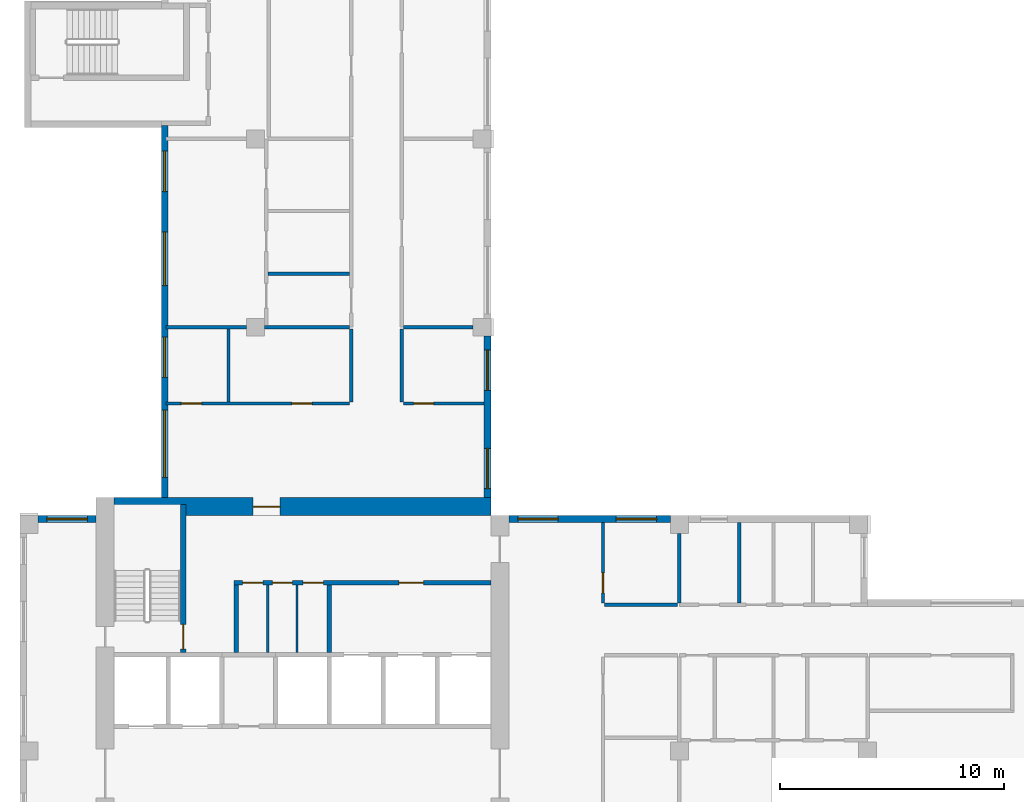
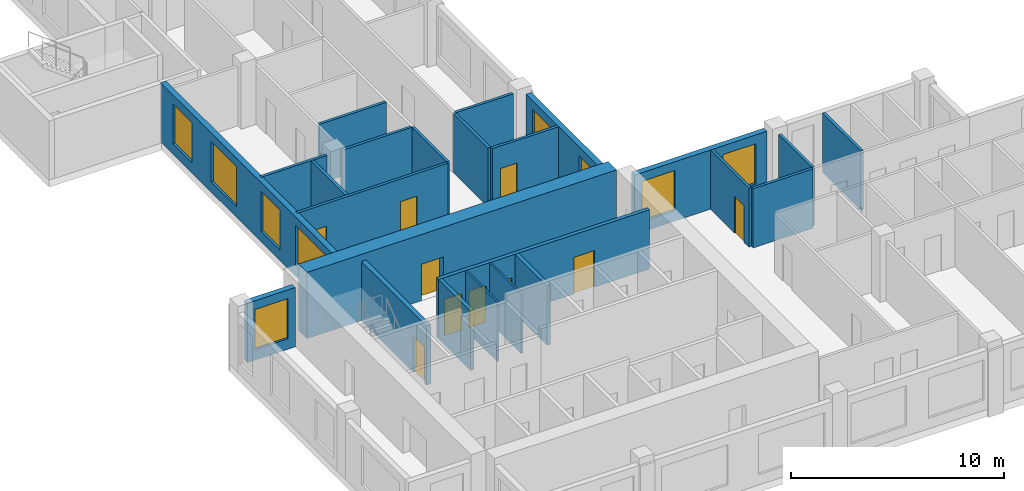
# One storey, part 3 of 11: 24 walls, 10 doors, 9 windows, 19 openings.
"""IFC4 building model written with IfcOpenShell, lengths in metres."""

from ifc_helpers import new_model, si_unit, direction, frame, frame_2d, origin, place, context, subcontext, project, spatial, rectangle, extrude, source, transform, mapped, material, layer, layer_set, type_object, element, fill, save


model = new_model("IFC4")

# Units and contexts
model_context = context("Model", 3, precision=1e-05, world=origin(), true_north=direction((0.0, 1.0)))
body_context = subcontext(model_context, "Body", "Model", "MODEL_VIEW")
ifc_project = project(units=[si_unit("LENGTHUNIT", "METRE"), si_unit("AREAUNIT", "SQUARE_METRE"), si_unit("VOLUMEUNIT", "CUBIC_METRE"), si_unit("PLANEANGLEUNIT", "RADIAN"), si_unit("MASSUNIT", "GRAM", prefix="KILO")], contexts=[model_context])

# Site, building, storey
site_placement = place(None, origin())
site = spatial("IfcSite", under=ifc_project, at=site_placement, CompositionType="ELEMENT")
building_placement = place(site_placement, origin())
building = spatial("IfcBuilding", under=site, at=building_placement, Name="Aurelian Terraces", CompositionType="ELEMENT")
storey_placement = place(building_placement, frame((0.0, 0.0, 265.2)))
storey = spatial("IfcBuildingStorey", under=building, at=storey_placement, Name="L61", CompositionType="ELEMENT", Elevation=265.2)

# Wall, opening, door
ifc_material_1 = material(Name="Concrete fc' 70 MPa", Category="concrete")
ifc_layer_1 = layer(ifc_material_1, 0.8)
ifc_layer_set_1 = layer_set([ifc_layer_1], Name="CORE WALL 800 FC70")
wall_type_1 = type_object("IfcWallType", Name="CORE WALL 800 FC70", PredefinedType="SHEAR", material=ifc_layer_set_1)
shared_shape_1 = source(origin(), body_context, "Body", "SweptSolid", [
    extrude(rectangle(XDim=16.8, YDim=0.8, at=frame_2d((8.4, 0.0))), origin(), (0.0, 0.0, 1.0), 3.8),
])
wall_1_placement = place(storey_placement, frame((4.2, 21.4, 0.0), z_axis=(0.0, 0.0, 1.0), x_axis=(1.0, 0.0, 0.0)))
wall_1 = element("IfcWall", 1, at=wall_1_placement, inside=storey, type_object=wall_type_1, Name="Core wall N L61", PredefinedType="SHEAR", context=body_context, shape_type="MappedRepresentation", body=[
    mapped(shared_shape_1, transform((0.0, 0.0, 0.0), scale=1.0)),
])
shared_shape_2 = source(origin(), body_context, "Body", "SweptSolid", [
    extrude(rectangle(XDim=1.2, YDim=2.1, at=frame_2d((0.6, 1.05))), frame((0.0, 0.41, 0.0), z_axis=(0.0, -1.0, 0.0), x_axis=(1.0, 0.0, 0.0)), (0.0, 0.0, 1.0), 0.82),
])
opening_1_placement = place(wall_1_placement, frame((6.2, 0.0, 0.0)))
opening_1 = element("IfcOpeningElement", 2, at=opening_1_placement, cuts=wall_1, Name="Opening 66425", PredefinedType="OPENING", context=body_context, shape_type="MappedRepresentation", body=[
    mapped(shared_shape_2, transform((0.0, 0.0, 0.0), scale=1.0)),
])
ifc_material_2 = material(Name="Steel door leaf", Category="steel")
door_type_1 = type_object("IfcDoorType", Name="Core fire door 1200x2100", OperationType="SINGLE_SWING_LEFT", PredefinedType="DOOR", material=ifc_material_2)
shared_shape_3 = source(origin(), body_context, "Body", "SweptSolid", [
    extrude(rectangle(XDim=1.2, YDim=2.1, at=frame_2d((0.6, 1.05))), frame((0.0, 0.025, 0.0), z_axis=(0.0, -1.0, 0.0), x_axis=(1.0, 0.0, 0.0)), (0.0, 0.0, 1.0), 0.05),
])
door_1_placement = place(opening_1_placement, origin())
door_1 = element("IfcDoor", 3, at=door_1_placement, inside=storey, type_object=door_type_1, Name="Core door 66425", OperationType="SINGLE_SWING_LEFT", OverallHeight=2.1, OverallWidth=1.2, PredefinedType="DOOR", context=body_context, shape_type="MappedRepresentation", body=[
    mapped(shared_shape_3, transform((0.0, 0.0, 0.0), scale=1.0)),
])
fill(opening_1, door_1)

# Wall, openings, windows
ifc_material_3 = material(Name="Terracotta rainscreen cladding", Category="masonry")
ifc_layer_2 = layer(ifc_material_3, 0.3)
ifc_layer_set_2 = layer_set([ifc_layer_2], Name="EW-300")
wall_type_2 = type_object("IfcWallType", Name="EW-300", PredefinedType="STANDARD", material=ifc_layer_set_2)
shared_shape_4 = source(origin(), body_context, "Body", "SweptSolid", [
    extrude(rectangle(XDim=16.6, YDim=0.3, at=frame_2d((8.3, 0.0))), origin(), (0.0, 0.0, 1.0), 3.4),
])
wall_2_placement = place(storey_placement, frame((6.45, 38.4, 0.0), z_axis=(0.0, 0.0, 1.0), x_axis=(0.0, -1.0, 0.0)))
wall_2 = element("IfcWall", 4, at=wall_2_placement, inside=storey, type_object=wall_type_2, Name="External wall L61 F16.29", PredefinedType="STANDARD", context=body_context, shape_type="MappedRepresentation", body=[
    mapped(shared_shape_4, transform((0.0, 0.0, 0.0), scale=1.0)),
])
shared_shape_5 = source(origin(), body_context, "Body", "SweptSolid", [
    extrude(rectangle(XDim=1.8, YDim=2.3, at=frame_2d((0.9, 1.15))), frame((0.0, 0.16, 0.0), z_axis=(0.0, -1.0, 0.0), x_axis=(1.0, 0.0, 0.0)), (0.0, 0.0, 1.0), 0.32),
])
opening_2_placement = place(wall_2_placement, frame((1.15, 0.0, 0.6)))
opening_2 = element("IfcOpeningElement", 5, at=opening_2_placement, cuts=wall_2, Name="Opening W1823", PredefinedType="OPENING", context=body_context, shape_type="MappedRepresentation", body=[
    mapped(shared_shape_5, transform((0.0, 0.0, 0.0), scale=1.0)),
])
shared_shape_6 = source(origin(), body_context, "Body", "SweptSolid", [
    extrude(rectangle(XDim=2.4, YDim=2.3, at=frame_2d((1.2, 1.15))), frame((0.0, 0.16, 0.0), z_axis=(0.0, -1.0, 0.0), x_axis=(1.0, 0.0, 0.0)), (0.0, 0.0, 1.0), 0.32),
])
opening_3_placement = place(wall_2_placement, frame((4.75, 0.0, 0.6)))
opening_3 = element("IfcOpeningElement", 6, at=opening_3_placement, cuts=wall_2, Name="Opening W2423", PredefinedType="OPENING", context=body_context, shape_type="MappedRepresentation", body=[
    mapped(shared_shape_6, transform((0.0, 0.0, 0.0), scale=1.0)),
])
opening_4_placement = place(wall_2_placement, frame((9.4375, 0.0, 0.6)))
opening_4 = element("IfcOpeningElement", 7, at=opening_4_placement, cuts=wall_2, Name="Opening W1823", PredefinedType="OPENING", context=body_context, shape_type="MappedRepresentation", body=[
    mapped(shared_shape_5, transform((0.0, 0.0, 0.0), scale=1.0)),
])
shared_shape_7 = source(origin(), body_context, "Body", "SweptSolid", [
    extrude(rectangle(XDim=3.0, YDim=2.3, at=frame_2d((1.5, 1.15))), frame((0.0, 0.16, 0.0), z_axis=(0.0, -1.0, 0.0), x_axis=(1.0, 0.0, 0.0)), (0.0, 0.0, 1.0), 0.32),
])
opening_5_placement = place(wall_2_placement, frame((12.7, 0.0, 0.6)))
opening_5 = element("IfcOpeningElement", 8, at=opening_5_placement, cuts=wall_2, Name="Opening W3023", PredefinedType="OPENING", context=body_context, shape_type="MappedRepresentation", body=[
    mapped(shared_shape_7, transform((0.0, 0.0, 0.0), scale=1.0)),
])
ifc_material_4 = material(Name="Clear glazing", Category="glass")
window_type_1 = type_object("IfcWindowType", Name="W-3000x2300", PartitioningType="SINGLE_PANEL", PredefinedType="WINDOW", material=ifc_material_4)
shared_shape_8 = source(origin(), body_context, "Body", "SweptSolid", [
    extrude(rectangle(XDim=3.0, YDim=2.3, at=frame_2d((1.5, 1.15))), frame((0.0, 0.03, 0.0), z_axis=(0.0, -1.0, 0.0), x_axis=(1.0, 0.0, 0.0)), (0.0, 0.0, 1.0), 0.06),
])
window_1_placement = place(opening_5_placement, origin())
window_1 = element("IfcWindow", 9, at=window_1_placement, inside=storey, type_object=window_type_1, Name="Window L61 L61-F16-29-3", OverallHeight=2.3, OverallWidth=3.0, PartitioningType="SINGLE_PANEL", PredefinedType="WINDOW", context=body_context, shape_type="MappedRepresentation", body=[
    mapped(shared_shape_8, transform((0.0, 0.0, 0.0), scale=1.0)),
])
fill(opening_5, window_1)
window_type_2 = type_object("IfcWindowType", Name="W-1800x2300", PartitioningType="SINGLE_PANEL", PredefinedType="WINDOW", material=ifc_material_4)
shared_shape_9 = source(origin(), body_context, "Body", "SweptSolid", [
    extrude(rectangle(XDim=1.8, YDim=2.3, at=frame_2d((0.9, 1.15))), frame((0.0, 0.03, 0.0), z_axis=(0.0, -1.0, 0.0), x_axis=(1.0, 0.0, 0.0)), (0.0, 0.0, 1.0), 0.06),
])
window_2_placement = place(opening_2_placement, origin())
window_2 = element("IfcWindow", 10, at=window_2_placement, inside=storey, type_object=window_type_2, Name="Window L61 L61-F16-29-0", OverallHeight=2.3, OverallWidth=1.8, PartitioningType="SINGLE_PANEL", PredefinedType="WINDOW", context=body_context, shape_type="MappedRepresentation", body=[
    mapped(shared_shape_9, transform((0.0, 0.0, 0.0), scale=1.0)),
])
fill(opening_2, window_2)
window_3_placement = place(opening_4_placement, origin())
window_3 = element("IfcWindow", 11, at=window_3_placement, inside=storey, type_object=window_type_2, Name="Window L61 L61-F16-29-2", OverallHeight=2.3, OverallWidth=1.8, PartitioningType="SINGLE_PANEL", PredefinedType="WINDOW", context=body_context, shape_type="MappedRepresentation", body=[
    mapped(shared_shape_9, transform((0.0, 0.0, 0.0), scale=1.0)),
])
fill(opening_4, window_3)
window_type_3 = type_object("IfcWindowType", Name="W-2400x2300", PartitioningType="SINGLE_PANEL", PredefinedType="WINDOW", material=ifc_material_4)
shared_shape_10 = source(origin(), body_context, "Body", "SweptSolid", [
    extrude(rectangle(XDim=2.4, YDim=2.3, at=frame_2d((1.2, 1.15))), frame((0.0, 0.03, 0.0), z_axis=(0.0, -1.0, 0.0), x_axis=(1.0, 0.0, 0.0)), (0.0, 0.0, 1.0), 0.06),
])
window_4_placement = place(opening_3_placement, origin())
window_4 = element("IfcWindow", 12, at=window_4_placement, inside=storey, type_object=window_type_3, Name="Window L61 L61-F16-29-1", OverallHeight=2.3, OverallWidth=2.4, PartitioningType="SINGLE_PANEL", PredefinedType="WINDOW", context=body_context, shape_type="MappedRepresentation", body=[
    mapped(shared_shape_10, transform((0.0, 0.0, 0.0), scale=1.0)),
])
fill(opening_3, window_4)

shared_shape_11 = source(origin(), body_context, "Body", "SweptSolid", [
    extrude(rectangle(XDim=7.2, YDim=0.3, at=frame_2d((3.6, 0.0))), origin(), (0.0, 0.0, 1.0), 3.4),
])
wall_3_placement = place(storey_placement, frame((29.0, 20.85, 0.0), z_axis=(0.0, 0.0, 1.0), x_axis=(-1.0, 0.0, 0.0)))
wall_3 = element("IfcWall", 13, at=wall_3_placement, inside=storey, type_object=wall_type_2, Name="External wall L61 F07.16", PredefinedType="STANDARD", context=body_context, shape_type="MappedRepresentation", body=[
    mapped(shared_shape_11, transform((0.0, 0.0, 0.0), scale=1.0)),
])
opening_6_placement = place(wall_3_placement, frame((0.6125, 0.0, 0.6)))
opening_6 = element("IfcOpeningElement", 14, at=opening_6_placement, cuts=wall_3, Name="Opening W1823", PredefinedType="OPENING", context=body_context, shape_type="MappedRepresentation", body=[
    mapped(shared_shape_5, transform((0.0, 0.0, 0.0), scale=1.0)),
])
opening_7_placement = place(wall_3_placement, frame((5.0, 0.0, 0.6)))
opening_7 = element("IfcOpeningElement", 15, at=opening_7_placement, cuts=wall_3, Name="Opening W1823", PredefinedType="OPENING", context=body_context, shape_type="MappedRepresentation", body=[
    mapped(shared_shape_5, transform((0.0, 0.0, 0.0), scale=1.0)),
])
window_5_placement = place(opening_6_placement, origin())
window_5 = element("IfcWindow", 16, at=window_5_placement, inside=storey, type_object=window_type_2, Name="Window L61 L61-F07-16-0", OverallHeight=2.3, OverallWidth=1.8, PartitioningType="SINGLE_PANEL", PredefinedType="WINDOW", context=body_context, shape_type="MappedRepresentation", body=[
    mapped(shared_shape_9, transform((0.0, 0.0, 0.0), scale=1.0)),
])
fill(opening_6, window_5)
window_6_placement = place(opening_7_placement, origin())
window_6 = element("IfcWindow", 17, at=window_6_placement, inside=storey, type_object=window_type_2, Name="Window L61 L61-F07-16-1", OverallHeight=2.3, OverallWidth=1.8, PartitioningType="SINGLE_PANEL", PredefinedType="WINDOW", context=body_context, shape_type="MappedRepresentation", body=[
    mapped(shared_shape_9, transform((0.0, 0.0, 0.0), scale=1.0)),
])
fill(opening_7, window_6)

wall_4_placement = place(storey_placement, frame((20.85, 21.8, 0.0), z_axis=(0.0, 0.0, 1.0), x_axis=(0.0, 1.0, 0.0)))
wall_4 = element("IfcWall", 18, at=wall_4_placement, inside=storey, type_object=wall_type_2, Name="External wall L61 F08.17", PredefinedType="STANDARD", context=body_context, shape_type="MappedRepresentation", body=[
    mapped(shared_shape_11, transform((0.0, 0.0, 0.0), scale=1.0)),
])
opening_8_placement = place(wall_4_placement, frame((0.4, 0.0, 0.6)))
opening_8 = element("IfcOpeningElement", 19, at=opening_8_placement, cuts=wall_4, Name="Opening W1823", PredefinedType="OPENING", context=body_context, shape_type="MappedRepresentation", body=[
    mapped(shared_shape_5, transform((0.0, 0.0, 0.0), scale=1.0)),
])
opening_9_placement = place(wall_4_placement, frame((4.7875, 0.0, 0.6)))
opening_9 = element("IfcOpeningElement", 20, at=opening_9_placement, cuts=wall_4, Name="Opening W1823", PredefinedType="OPENING", context=body_context, shape_type="MappedRepresentation", body=[
    mapped(shared_shape_5, transform((0.0, 0.0, 0.0), scale=1.0)),
])
window_7_placement = place(opening_8_placement, origin())
window_7 = element("IfcWindow", 21, at=window_7_placement, inside=storey, type_object=window_type_2, Name="Window L61 L61-F08-17-0", OverallHeight=2.3, OverallWidth=1.8, PartitioningType="SINGLE_PANEL", PredefinedType="WINDOW", context=body_context, shape_type="MappedRepresentation", body=[
    mapped(shared_shape_9, transform((0.0, 0.0, 0.0), scale=1.0)),
])
fill(opening_8, window_7)
window_8_placement = place(opening_9_placement, origin())
window_8 = element("IfcWindow", 22, at=window_8_placement, inside=storey, type_object=window_type_2, Name="Window L61 L61-F08-17-1", OverallHeight=2.3, OverallWidth=1.8, PartitioningType="SINGLE_PANEL", PredefinedType="WINDOW", context=body_context, shape_type="MappedRepresentation", body=[
    mapped(shared_shape_9, transform((0.0, 0.0, 0.0), scale=1.0)),
])
fill(opening_9, window_8)

# Wall, opening, window
shared_shape_12 = source(origin(), body_context, "Body", "SweptSolid", [
    extrude(rectangle(XDim=2.6, YDim=0.3, at=frame_2d((1.3, 0.0))), origin(), (0.0, 0.0, 1.0), 3.4),
])
wall_5_placement = place(storey_placement, frame((3.4, 20.85, 0.0), z_axis=(0.0, 0.0, 1.0), x_axis=(-1.0, 0.0, 0.0)))
wall_5 = element("IfcWall", 23, at=wall_5_placement, inside=storey, type_object=wall_type_2, Name="External wall L61 F19.32", PredefinedType="STANDARD", context=body_context, shape_type="MappedRepresentation", body=[
    mapped(shared_shape_12, transform((0.0, 0.0, 0.0), scale=1.0)),
])
opening_10_placement = place(wall_5_placement, frame((0.4, 0.0, 0.6)))
opening_10 = element("IfcOpeningElement", 24, at=opening_10_placement, cuts=wall_5, Name="Opening W1823", PredefinedType="OPENING", context=body_context, shape_type="MappedRepresentation", body=[
    mapped(shared_shape_5, transform((0.0, 0.0, 0.0), scale=1.0)),
])
window_9_placement = place(opening_10_placement, origin())
window_9 = element("IfcWindow", 25, at=window_9_placement, inside=storey, type_object=window_type_2, Name="Window L61 L61-F19-32-0", OverallHeight=2.3, OverallWidth=1.8, PartitioningType="SINGLE_PANEL", PredefinedType="WINDOW", context=body_context, shape_type="MappedRepresentation", body=[
    mapped(shared_shape_9, transform((0.0, 0.0, 0.0), scale=1.0)),
])
fill(opening_10, window_9)

# Walls
ifc_material_5 = material(Name="Gypsum board on steel studs", Category="steel")
ifc_layer_3 = layer(ifc_material_5, 0.2)
ifc_layer_set_3 = layer_set([ifc_layer_3], Name="Core partition 200")
wall_type_3 = type_object("IfcWallType", Name="Core partition 200", PredefinedType="PARTITIONING", material=ifc_layer_set_3)
shared_shape_13 = source(origin(), body_context, "Body", "SweptSolid", [
    extrude(rectangle(XDim=3.0, YDim=0.2, at=frame_2d((1.5, 0.0))), origin(), (0.0, 0.0, 1.0), 3.4),
])
for number, where, z_axis, x_axis, name in (
    (26, (9.65, 14.9, 0.0), (0.0, 0.0, 1.0), (0.0, 1.0, 0.0), "L61 core wall CP-VEST"),
    (27, (13.8, 14.9, 0.0), (0.0, 0.0, 1.0), (0.0, 1.0, 0.0), "L61 core wall CP-FFL"),
):
    element("IfcWall", number, at=place(storey_placement, frame(where, z_axis=z_axis, x_axis=x_axis)), inside=storey, type_object=wall_type_3, Name=name, PredefinedType="PARTITIONING", context=body_context, shape_type="MappedRepresentation", body=[
        mapped(shared_shape_13, transform((0.0, 0.0, 0.0), scale=1.0)),
    ])
ifc_layer_4 = layer(ifc_material_5, 0.1)
ifc_layer_set_4 = layer_set([ifc_layer_4], Name="Core partition 100")
wall_type_4 = type_object("IfcWallType", Name="Core partition 100", PredefinedType="PARTITIONING", material=ifc_layer_set_4)
shared_shape_14 = source(origin(), body_context, "Body", "SweptSolid", [
    extrude(rectangle(XDim=3.0, YDim=0.1, at=frame_2d((1.5, 0.0))), origin(), (0.0, 0.0, 1.0), 3.4),
])
for number, where, z_axis, x_axis, name in (
    (28, (11.05, 14.9, 0.0), (0.0, 0.0, 1.0), (0.0, 1.0, 0.0), "L61 core wall CP-SV1"),
    (29, (12.35, 14.9, 0.0), (0.0, 0.0, 1.0), (0.0, 1.0, 0.0), "L61 core wall CP-SV2"),
):
    element("IfcWall", number, at=place(storey_placement, frame(where, z_axis=z_axis, x_axis=x_axis)), inside=storey, type_object=wall_type_4, Name=name, PredefinedType="PARTITIONING", context=body_context, shape_type="MappedRepresentation", body=[
        mapped(shared_shape_14, transform((0.0, 0.0, 0.0), scale=1.0)),
    ])

# Wall, opening, door
ifc_material_6 = material(Name="Concrete fc' 40 MPa", Category="concrete")
ifc_layer_5 = layer(ifc_material_6, 0.25)
ifc_layer_set_5 = layer_set([ifc_layer_5], Name="Stair enclosure wall 250")
wall_type_5 = type_object("IfcWallType", Name="Stair enclosure wall 250", PredefinedType="SOLIDWALL", material=ifc_layer_set_5)
shared_shape_15 = source(origin(), body_context, "Body", "SweptSolid", [
    extrude(rectangle(XDim=6.6, YDim=0.25, at=frame_2d((3.3, 0.0))), origin(), (0.0, 0.0, 1.0), 3.4),
])
wall_6_placement = place(storey_placement, frame((7.275, 14.9, 0.0), z_axis=(0.0, 0.0, 1.0), x_axis=(0.0, 1.0, 0.0)))
wall_6 = element("IfcWall", 30, at=wall_6_placement, inside=storey, type_object=wall_type_5, Name="L61 core wall ST-S1-E", PredefinedType="SOLIDWALL", context=body_context, shape_type="MappedRepresentation", body=[
    mapped(shared_shape_15, transform((0.0, 0.0, 0.0), scale=1.0)),
])
shared_shape_16 = source(origin(), body_context, "Body", "SweptSolid", [
    extrude(rectangle(XDim=1.1, YDim=2.1, at=frame_2d((0.55, 1.05))), frame((0.0, 0.135, 0.0), z_axis=(0.0, -1.0, 0.0), x_axis=(1.0, 0.0, 0.0)), (0.0, 0.0, 1.0), 0.27),
])
opening_11_placement = place(wall_6_placement, frame((0.15, 0.0, 0.0)))
opening_11 = element("IfcOpeningElement", 31, at=opening_11_placement, cuts=wall_6, Name="Opening 66412", PredefinedType="OPENING", context=body_context, shape_type="MappedRepresentation", body=[
    mapped(shared_shape_16, transform((0.0, 0.0, 0.0), scale=1.0)),
])
door_type_2 = type_object("IfcDoorType", Name="Core fire door 1100x2100", OperationType="SINGLE_SWING_LEFT", PredefinedType="DOOR", material=ifc_material_2)
shared_shape_17 = source(origin(), body_context, "Body", "SweptSolid", [
    extrude(rectangle(XDim=1.1, YDim=2.1, at=frame_2d((0.55, 1.05))), frame((0.0, 0.025, 0.0), z_axis=(0.0, -1.0, 0.0), x_axis=(1.0, 0.0, 0.0)), (0.0, 0.0, 1.0), 0.05),
])
door_2_placement = place(opening_11_placement, origin())
door_2 = element("IfcDoor", 32, at=door_2_placement, inside=storey, type_object=door_type_2, Name="Stair door 66412", OperationType="SINGLE_SWING_LEFT", OverallHeight=2.1, OverallWidth=1.1, PredefinedType="DOOR", context=body_context, shape_type="MappedRepresentation", body=[
    mapped(shared_shape_17, transform((0.0, 0.0, 0.0), scale=1.0)),
])
fill(opening_11, door_2)

# Wall, openings, doors
shared_shape_18 = source(origin(), body_context, "Body", "SweptSolid", [
    extrude(rectangle(XDim=11.45, YDim=0.2, at=frame_2d((5.725, 0.0))), origin(), (0.0, 0.0, 1.0), 3.4),
])
wall_7_placement = place(storey_placement, frame((9.55, 18.0, 0.0), z_axis=(0.0, 0.0, 1.0), x_axis=(1.0, 0.0, 0.0)))
wall_7 = element("IfcWall", 33, at=wall_7_placement, inside=storey, type_object=wall_type_3, Name="L61 core wall CP-NORTH", PredefinedType="PARTITIONING", context=body_context, shape_type="MappedRepresentation", body=[
    mapped(shared_shape_18, transform((0.0, 0.0, 0.0), scale=1.0)),
])
shared_shape_19 = source(origin(), body_context, "Body", "SweptSolid", [
    extrude(rectangle(XDim=0.9, YDim=2.1, at=frame_2d((0.45, 1.05))), frame((0.0, 0.11, 0.0), z_axis=(0.0, -1.0, 0.0), x_axis=(1.0, 0.0, 0.0)), (0.0, 0.0, 1.0), 0.22),
])
opening_12_placement = place(wall_7_placement, frame((0.375, 0.0, 0.0)))
opening_12 = element("IfcOpeningElement", 34, at=opening_12_placement, cuts=wall_7, Name="Opening 66413", PredefinedType="OPENING", context=body_context, shape_type="MappedRepresentation", body=[
    mapped(shared_shape_19, transform((0.0, 0.0, 0.0), scale=1.0)),
])
opening_13_placement = place(wall_7_placement, frame((1.7, 0.0, 0.0)))
opening_13 = element("IfcOpeningElement", 35, at=opening_13_placement, cuts=wall_7, Name="Opening 66414", PredefinedType="OPENING", context=body_context, shape_type="MappedRepresentation", body=[
    mapped(shared_shape_19, transform((0.0, 0.0, 0.0), scale=1.0)),
])
opening_14_placement = place(wall_7_placement, frame((3.075, 0.0, 0.0)))
opening_14 = element("IfcOpeningElement", 36, at=opening_14_placement, cuts=wall_7, Name="Opening 66415", PredefinedType="OPENING", context=body_context, shape_type="MappedRepresentation", body=[
    mapped(shared_shape_19, transform((0.0, 0.0, 0.0), scale=1.0)),
])
shared_shape_20 = source(origin(), body_context, "Body", "SweptSolid", [
    extrude(rectangle(XDim=1.1, YDim=2.1, at=frame_2d((0.55, 1.05))), frame((0.0, 0.11, 0.0), z_axis=(0.0, -1.0, 0.0), x_axis=(1.0, 0.0, 0.0)), (0.0, 0.0, 1.0), 0.22),
])
opening_15_placement = place(wall_7_placement, frame((7.35, 0.0, 0.0)))
opening_15 = element("IfcOpeningElement", 37, at=opening_15_placement, cuts=wall_7, Name="Opening 66416", PredefinedType="OPENING", context=body_context, shape_type="MappedRepresentation", body=[
    mapped(shared_shape_20, transform((0.0, 0.0, 0.0), scale=1.0)),
])
door_type_3 = type_object("IfcDoorType", Name="Core riser door 900x2100 right", OperationType="SINGLE_SWING_RIGHT", PredefinedType="DOOR", material=ifc_material_2)
shared_shape_21 = source(origin(), body_context, "Body", "SweptSolid", [
    extrude(rectangle(XDim=0.9, YDim=2.1, at=frame_2d((0.45, 1.05))), frame((0.0, 0.025, 0.0), z_axis=(0.0, -1.0, 0.0), x_axis=(1.0, 0.0, 0.0)), (0.0, 0.0, 1.0), 0.05),
])
door_3_placement = place(opening_12_placement, origin())
door_3 = element("IfcDoor", 38, at=door_3_placement, inside=storey, type_object=door_type_3, Name="Room door 66413", OperationType="SINGLE_SWING_RIGHT", OverallHeight=2.1, OverallWidth=0.9, PredefinedType="DOOR", context=body_context, shape_type="MappedRepresentation", body=[
    mapped(shared_shape_21, transform((0.0, 0.0, 0.0), scale=1.0)),
])
fill(opening_12, door_3)
door_type_4 = type_object("IfcDoorType", Name="Core service door 900x2100", OperationType="SINGLE_SWING_LEFT", PredefinedType="DOOR", material=ifc_material_2)
door_4_placement = place(opening_13_placement, origin())
door_4 = element("IfcDoor", 39, at=door_4_placement, inside=storey, type_object=door_type_4, Name="Room door 66414", OperationType="SINGLE_SWING_LEFT", OverallHeight=2.1, OverallWidth=0.9, PredefinedType="DOOR", context=body_context, shape_type="MappedRepresentation", body=[
    mapped(shared_shape_21, transform((0.0, 0.0, 0.0), scale=1.0)),
])
fill(opening_13, door_4)
door_type_5 = type_object("IfcDoorType", Name="Core service door 900x2100 right", OperationType="SINGLE_SWING_RIGHT", PredefinedType="DOOR", material=ifc_material_2)
door_5_placement = place(opening_14_placement, origin())
door_5 = element("IfcDoor", 40, at=door_5_placement, inside=storey, type_object=door_type_5, Name="Room door 66415", OperationType="SINGLE_SWING_RIGHT", OverallHeight=2.1, OverallWidth=0.9, PredefinedType="DOOR", context=body_context, shape_type="MappedRepresentation", body=[
    mapped(shared_shape_21, transform((0.0, 0.0, 0.0), scale=1.0)),
])
fill(opening_14, door_5)
door_6_placement = place(opening_15_placement, origin())
door_6 = element("IfcDoor", 41, at=door_6_placement, inside=storey, type_object=door_type_2, Name="Ff lobby door 66416", OperationType="SINGLE_SWING_LEFT", OverallHeight=2.1, OverallWidth=1.1, PredefinedType="DOOR", context=body_context, shape_type="MappedRepresentation", body=[
    mapped(shared_shape_17, transform((0.0, 0.0, 0.0), scale=1.0)),
])
fill(opening_15, door_6)

# Wall, opening, door
ifc_layer_6 = layer(ifc_material_5, 0.15)
ifc_layer_set_6 = layer_set([ifc_layer_6], Name="Partition 150")
wall_type_6 = type_object("IfcWallType", Name="Partition 150", PredefinedType="PARTITIONING", material=ifc_layer_set_6)
shared_shape_22 = source(origin(), body_context, "Body", "SweptSolid", [
    extrude(rectangle(XDim=3.6, YDim=0.15, at=frame_2d((1.8, 0.0))), origin(), (0.0, 0.0, 1.0), 3.4),
])
wall_8_placement = place(storey_placement, frame((26.0, 20.7, 0.0), z_axis=(0.0, 0.0, 1.0), x_axis=(0.0, -1.0, 0.0)))
wall_8 = element("IfcWall", 42, at=wall_8_placement, inside=storey, type_object=wall_type_6, Name="Partition", PredefinedType="PARTITIONING", context=body_context, shape_type="MappedRepresentation", body=[
    mapped(shared_shape_22, transform((0.0, 0.0, 0.0), scale=1.0)),
])
shared_shape_23 = source(origin(), body_context, "Body", "SweptSolid", [
    extrude(rectangle(XDim=0.9, YDim=2.1, at=frame_2d((0.45, 1.05))), frame((0.0, 0.085, 0.0), z_axis=(0.0, -1.0, 0.0), x_axis=(1.0, 0.0, 0.0)), (0.0, 0.0, 1.0), 0.17),
])
opening_16_placement = place(wall_8_placement, frame((2.25, 0.0, 0.0)))
opening_16 = element("IfcOpeningElement", 43, at=opening_16_placement, cuts=wall_8, Name="Opening 761003", PredefinedType="OPENING", context=body_context, shape_type="MappedRepresentation", body=[
    mapped(shared_shape_23, transform((0.0, 0.0, 0.0), scale=1.0)),
])
ifc_material_7 = material(Name="Timber door leaf", Category="wood")
door_type_6 = type_object("IfcDoorType", Name="Room door 900x2100 left", OperationType="SINGLE_SWING_LEFT", PredefinedType="DOOR", material=ifc_material_7)
door_7_placement = place(opening_16_placement, origin())
door_7 = element("IfcDoor", 44, at=door_7_placement, inside=storey, type_object=door_type_6, Name="Door 761003", OperationType="SINGLE_SWING_LEFT", OverallHeight=2.1, OverallWidth=0.9, PredefinedType="DOOR", context=body_context, shape_type="MappedRepresentation", body=[
    mapped(shared_shape_21, transform((0.0, 0.0, 0.0), scale=1.0)),
])
fill(opening_16, door_7)

# Wall
wall_9_placement = place(storey_placement, frame((32.067, 20.7, 0.0), z_axis=(0.0, 0.0, 1.0), x_axis=(0.0, -1.0, 0.0)))
element("IfcWall", 45, at=wall_9_placement, inside=storey, type_object=wall_type_6, Name="Partition", PredefinedType="PARTITIONING", context=body_context, shape_type="MappedRepresentation", body=[
    mapped(shared_shape_22, transform((0.0, 0.0, 0.0), scale=1.0)),
])

# Wall, opening, door
wall_10_placement = place(storey_placement, frame((17.1, 26.0, 0.0), z_axis=(0.0, 0.0, 1.0), x_axis=(1.0, 0.0, 0.0)))
wall_10 = element("IfcWall", 46, at=wall_10_placement, inside=storey, type_object=wall_type_6, Name="Partition", PredefinedType="PARTITIONING", context=body_context, shape_type="MappedRepresentation", body=[
    mapped(shared_shape_22, transform((0.0, 0.0, 0.0), scale=1.0)),
])
opening_17_placement = place(wall_10_placement, frame((0.45, 0.0, 0.0)))
opening_17 = element("IfcOpeningElement", 47, at=opening_17_placement, cuts=wall_10, Name="Opening 761024", PredefinedType="OPENING", context=body_context, shape_type="MappedRepresentation", body=[
    mapped(shared_shape_23, transform((0.0, 0.0, 0.0), scale=1.0)),
])
door_8_placement = place(opening_17_placement, origin())
door_8 = element("IfcDoor", 48, at=door_8_placement, inside=storey, type_object=door_type_6, Name="Door 761024", OperationType="SINGLE_SWING_LEFT", OverallHeight=2.1, OverallWidth=0.9, PredefinedType="DOOR", context=body_context, shape_type="MappedRepresentation", body=[
    mapped(shared_shape_21, transform((0.0, 0.0, 0.0), scale=1.0)),
])
fill(opening_17, door_8)

# Wall, openings, doors
shared_shape_24 = source(origin(), body_context, "Body", "SweptSolid", [
    extrude(rectangle(XDim=8.195, YDim=0.15, at=frame_2d((4.0975, 0.0))), origin(), (0.0, 0.0, 1.0), 3.4),
])
wall_11_placement = place(storey_placement, frame((6.505, 26.0, 0.0), z_axis=(0.0, 0.0, 1.0), x_axis=(1.0, 0.0, 0.0)))
wall_11 = element("IfcWall", 49, at=wall_11_placement, inside=storey, type_object=wall_type_6, Name="Partition", PredefinedType="PARTITIONING", context=body_context, shape_type="MappedRepresentation", body=[
    mapped(shared_shape_24, transform((0.0, 0.0, 0.0), scale=1.0)),
])
opening_18_placement = place(wall_11_placement, frame((0.695, 0.0, 0.0)))
opening_18 = element("IfcOpeningElement", 50, at=opening_18_placement, cuts=wall_11, Name="Opening 761022", PredefinedType="OPENING", context=body_context, shape_type="MappedRepresentation", body=[
    mapped(shared_shape_23, transform((0.0, 0.0, 0.0), scale=1.0)),
])
opening_19_placement = place(wall_11_placement, frame((5.62, 0.0, 0.0)))
opening_19 = element("IfcOpeningElement", 51, at=opening_19_placement, cuts=wall_11, Name="Opening 761023", PredefinedType="OPENING", context=body_context, shape_type="MappedRepresentation", body=[
    mapped(shared_shape_23, transform((0.0, 0.0, 0.0), scale=1.0)),
])
door_9_placement = place(opening_18_placement, origin())
door_9 = element("IfcDoor", 52, at=door_9_placement, inside=storey, type_object=door_type_6, Name="Door 761022", OperationType="SINGLE_SWING_LEFT", OverallHeight=2.1, OverallWidth=0.9, PredefinedType="DOOR", context=body_context, shape_type="MappedRepresentation", body=[
    mapped(shared_shape_21, transform((0.0, 0.0, 0.0), scale=1.0)),
])
fill(opening_18, door_9)
door_type_7 = type_object("IfcDoorType", Name="Room door 900x2100 right", OperationType="SINGLE_SWING_RIGHT", PredefinedType="DOOR", material=ifc_material_7)
door_10_placement = place(opening_19_placement, origin())
door_10 = element("IfcDoor", 53, at=door_10_placement, inside=storey, type_object=door_type_7, Name="Door 761023", OperationType="SINGLE_SWING_RIGHT", OverallHeight=2.1, OverallWidth=0.9, PredefinedType="DOOR", context=body_context, shape_type="MappedRepresentation", body=[
    mapped(shared_shape_21, transform((0.0, 0.0, 0.0), scale=1.0)),
])
fill(opening_19, door_10)

# Walls
shared_shape_25 = source(origin(), body_context, "Body", "SweptSolid", [
    extrude(rectangle(XDim=3.101, YDim=0.15, at=frame_2d((1.5505, 0.0))), origin(), (0.0, 0.0, 1.0), 3.4),
])
for number, where, z_axis, x_axis, name in (
    (54, (29.4, 17.1, 0.0), (0.0, 0.0, 1.0), (0.0, 1.0, 0.0), "Partition"),
    (55, (20.201, 29.4, 0.0), (0.0, 0.0, 1.0), (-1.0, 0.0, 0.0), "Partition"),
):
    element("IfcWall", number, at=place(storey_placement, frame(where, z_axis=z_axis, x_axis=x_axis)), inside=storey, type_object=wall_type_6, Name=name, PredefinedType="PARTITIONING", context=body_context, shape_type="MappedRepresentation", body=[
        mapped(shared_shape_25, transform((0.0, 0.0, 0.0), scale=1.0)),
    ])
shared_shape_26 = source(origin(), body_context, "Body", "SweptSolid", [
    extrude(rectangle(XDim=3.596, YDim=0.15, at=frame_2d((1.798, 0.0))), origin(), (0.0, 0.0, 1.0), 3.4),
])
wall_12_placement = place(storey_placement, frame((10.101, 29.4, 0.0), z_axis=(0.0, 0.0, 1.0), x_axis=(-1.0, 0.0, 0.0)))
element("IfcWall", 56, at=wall_12_placement, inside=storey, type_object=wall_type_6, Name="Partition", PredefinedType="PARTITIONING", context=body_context, shape_type="MappedRepresentation", body=[
    mapped(shared_shape_26, transform((0.0, 0.0, 0.0), scale=1.0)),
])
shared_shape_27 = source(origin(), body_context, "Body", "SweptSolid", [
    extrude(rectangle(XDim=3.65, YDim=0.15, at=frame_2d((1.825, 0.0))), origin(), (0.0, 0.0, 1.0), 3.4),
])
wall_13_placement = place(storey_placement, frame((14.7, 31.7771, 0.0), z_axis=(0.0, 0.0, 1.0), x_axis=(-1.0, 0.0, 0.0)))
element("IfcWall", 57, at=wall_13_placement, inside=storey, type_object=wall_type_6, Name="Partition", PredefinedType="PARTITIONING", context=body_context, shape_type="MappedRepresentation", body=[
    mapped(shared_shape_27, transform((0.0, 0.0, 0.0), scale=1.0)),
])
shared_shape_28 = source(origin(), body_context, "Body", "SweptSolid", [
    extrude(rectangle(XDim=3.801, YDim=0.15, at=frame_2d((1.9005, 0.0))), origin(), (0.0, 0.0, 1.0), 3.4),
])
wall_14_placement = place(storey_placement, frame((14.7, 29.4, 0.0), z_axis=(0.0, 0.0, 1.0), x_axis=(-1.0, 0.0, 0.0)))
element("IfcWall", 58, at=wall_14_placement, inside=storey, type_object=wall_type_6, Name="Partition", PredefinedType="PARTITIONING", context=body_context, shape_type="MappedRepresentation", body=[
    mapped(shared_shape_28, transform((0.0, 0.0, 0.0), scale=1.0)),
])
ifc_layer_7 = layer(ifc_material_5, 0.15)
ifc_layer_set_7 = layer_set([ifc_layer_7], Name="Fire partition 150")
wall_type_7 = type_object("IfcWallType", Name="Fire partition 150", PredefinedType="PARTITIONING", material=ifc_layer_set_7)
shared_shape_29 = source(origin(), body_context, "Body", "SweptSolid", [
    extrude(rectangle(XDim=3.25, YDim=0.15, at=frame_2d((1.625, 0.0))), origin(), (0.0, 0.0, 1.0), 3.4),
])
wall_15_placement = place(storey_placement, frame((26.075, 17.025, 0.0), z_axis=(0.0, 0.0, 1.0), x_axis=(1.0, 0.0, 0.0)))
element("IfcWall", 59, at=wall_15_placement, inside=storey, type_object=wall_type_7, Name="Corridor wall", PredefinedType="PARTITIONING", context=body_context, shape_type="MappedRepresentation", body=[
    mapped(shared_shape_29, transform((0.0, 0.0, 0.0), scale=1.0)),
])
wall_16_placement = place(storey_placement, frame((9.3, 26.075, 0.0), z_axis=(0.0, 0.0, 1.0), x_axis=(0.0, 1.0, 0.0)))
element("IfcWall", 60, at=wall_16_placement, inside=storey, type_object=wall_type_6, Name="Partition", PredefinedType="PARTITIONING", context=body_context, shape_type="MappedRepresentation", body=[
    mapped(shared_shape_29, transform((0.0, 0.0, 0.0), scale=1.0)),
])
for number, where, z_axis, x_axis, name in (
    (61, (14.775, 26.075, 0.0), (0.0, 0.0, 1.0), (0.0, 1.0, 0.0), "Corridor wall"),
    (62, (17.025, 29.325, 0.0), (0.0, 0.0, 1.0), (0.0, -1.0, 0.0), "Corridor wall"),
):
    element("IfcWall", number, at=place(storey_placement, frame(where, z_axis=z_axis, x_axis=x_axis)), inside=storey, type_object=wall_type_7, Name=name, PredefinedType="PARTITIONING", context=body_context, shape_type="MappedRepresentation", body=[
        mapped(shared_shape_29, transform((0.0, 0.0, 0.0), scale=1.0)),
    ])

save(model, "model.ifc")
